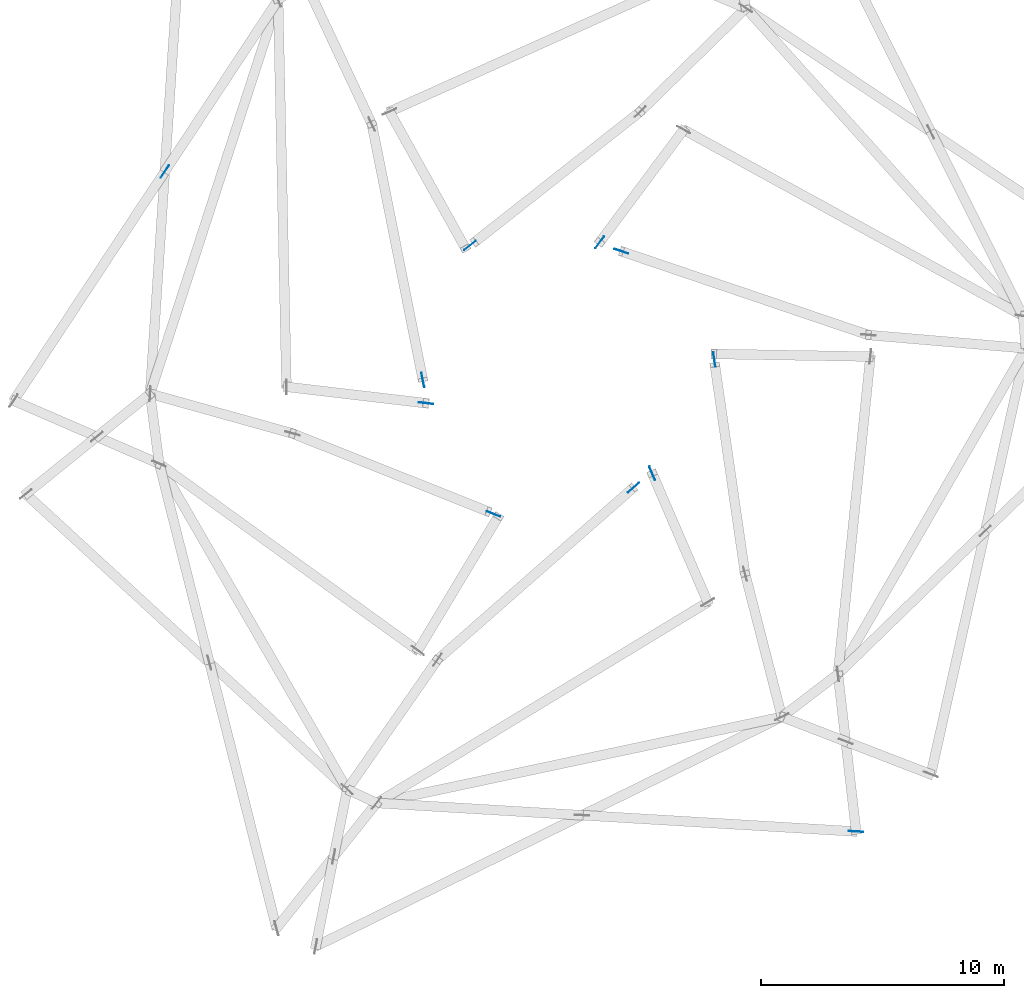
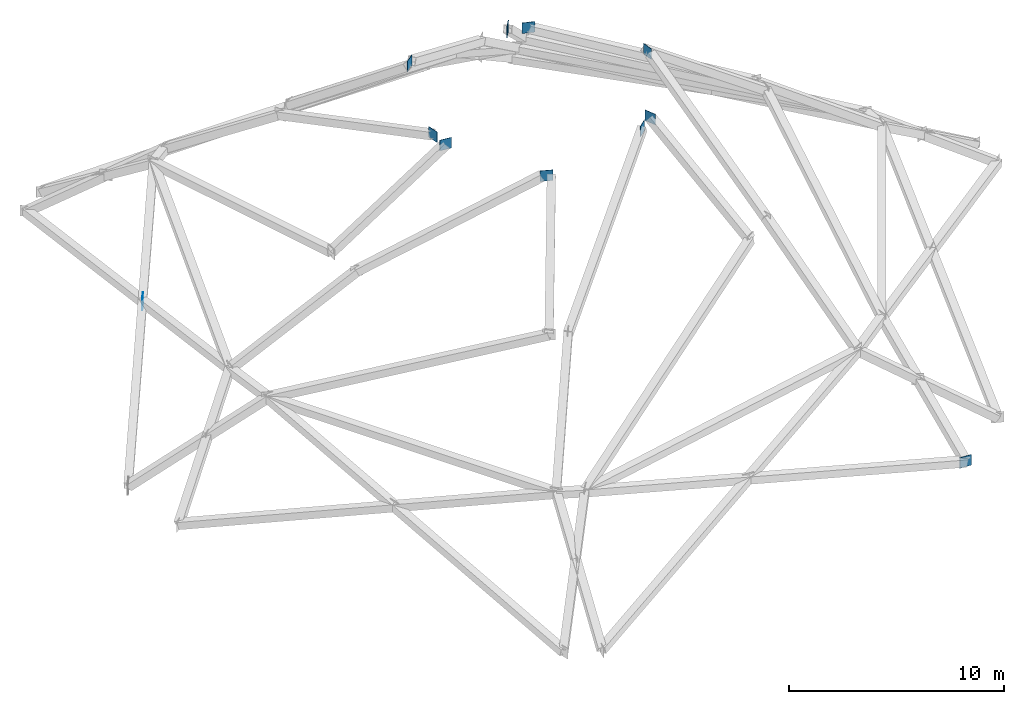
# One storey, part 4 of 6: 11 discrete accessories.
"""IFC4 building model written with IfcOpenShell, lengths in metres."""

from ifc_helpers import new_model, si_unit, direction, frame, origin, origin_2d, place, context, subcontext, project, spatial, rectangle, extrude, material, type_object, element, save


model = new_model("IFC4")

# Units and contexts
model_context = context("Model", 3, precision=1e-05, world=origin(), true_north=direction((0.0, 1.0)))
body_context = subcontext(model_context, "Body", "Model", "MODEL_VIEW")
ifc_project = project(units=[si_unit("LENGTHUNIT", "METRE"), si_unit("AREAUNIT", "SQUARE_METRE"), si_unit("VOLUMEUNIT", "CUBIC_METRE"), si_unit("PLANEANGLEUNIT", "RADIAN"), si_unit("MASSUNIT", "GRAM", prefix="KILO")], contexts=[model_context])

# Site, building, storey
site_placement = place(None, origin())
site = spatial("IfcSite", under=ifc_project, at=site_placement, CompositionType="ELEMENT")
building_placement = place(site_placement, origin())
building = spatial("IfcBuilding", under=site, at=building_placement, Name="Isthmus Gate Tower", CompositionType="ELEMENT")
storey_placement = place(building_placement, frame((0.0, 0.0, 320.10009765625)))
storey = spatial("IfcBuildingStorey", under=building, at=storey_placement, Name="C5", CompositionType="ELEMENT", Elevation=320.10009765625)

# Discrete accessories
ifc_material = material(Name="Structural steel ASTM A992 Gr 50", Category="steel")
discrete_accessory_type = type_object("IfcDiscreteAccessoryType", Name="GUSSET PLATE 600 X 20", PredefinedType="USERDEFINED", material=ifc_material)
for number, where, z_axis, x_axis, name in (
    (1, (-16.23193359375, 8.28515625, -2.228759765625), (0.0, 0.0, 1.0), (0.550506932086, 0.834830592231, 0.0), "GUSSET PLATE"),
    (2, (12.215087890625, -18.8701171875, -4.800048828125), (0.0, 0.0, 1.0), (-0.998237966771, 0.059337692048, 0.0), "GUSSET PLATE"),
    (3, (-3.67431640625, 5.2470703125, 8.699951171875), (0.0, 0.0, 1.0), (-0.785501424821, -0.618859848111, 0.0), "GUSSET PLATE"),
    (4, (-5.6123046875, -0.285888671875, 8.699951171875), (0.0, 0.0, 1.0), (0.19569659014, -0.980664491356, 0.0), "GUSSET PLATE"),
    (5, (-5.4873046875, -1.24560546875, 8.699951171875), (0.0, 0.0, 1.0), (0.993175340483, -0.116630798065, 0.0), "GUSSET PLATE"),
    (6, (-2.706787109375, -5.805419921875, 8.699951171875), (0.0, 0.0, 1.0), (0.928699062257, -0.370834264549, 0.0), "GUSSET PLATE"),
    (7, (3.0537109375, -4.717529296875, 8.699951171875), (0.0, 0.0, 1.0), (0.751432067034, 0.659810464174, 0.0), "GUSSET PLATE"),
    (8, (3.822265625, -4.12939453125, 8.699951171875), (0.0, 0.0, 1.0), (-0.395582436254, 0.918430474303, 0.0), "GUSSET PLATE"),
    (9, (6.381103515625, 0.55859375, 8.699951171875), (0.0, 0.0, 1.0), (-0.143197637435, 0.98969411266, 0.0), "GUSSET PLATE"),
    (10, (2.55859375, 5.00341796875, 8.699951171875), (0.0, 0.0, 1.0), (-0.947128657174, 0.320854027183, 0.0), "GUSSET PLATE"),
    (11, (1.6650390625, 5.375, 8.699951171875), (0.0, 0.0, 1.0), (-0.597592904229, -0.801799676238, 0.0), "GUSSET PLATE"),
):
    element("IfcDiscreteAccessory", number, at=place(storey_placement, frame(where, z_axis=z_axis, x_axis=x_axis)), inside=storey, type_object=discrete_accessory_type, Name=name, ObjectType="GUSSET PLATE", PredefinedType="USERDEFINED", context=body_context, shape_type="SweptSolid", body=[
        extrude(rectangle(XDim=0.60009765625, YDim=0.02001953125, at=origin_2d()), origin(), (0.0, 0.0, 1.0), 0.60009765625),
    ])

save(model, "model.ifc")
